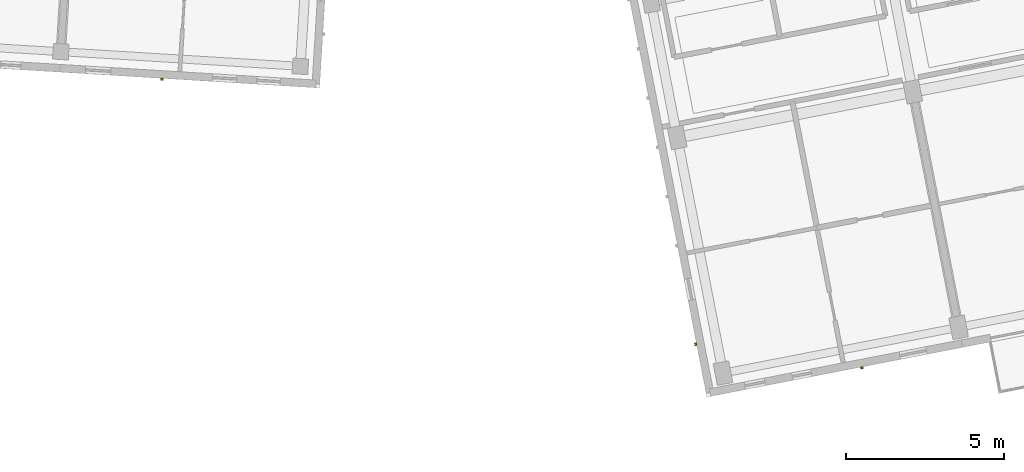
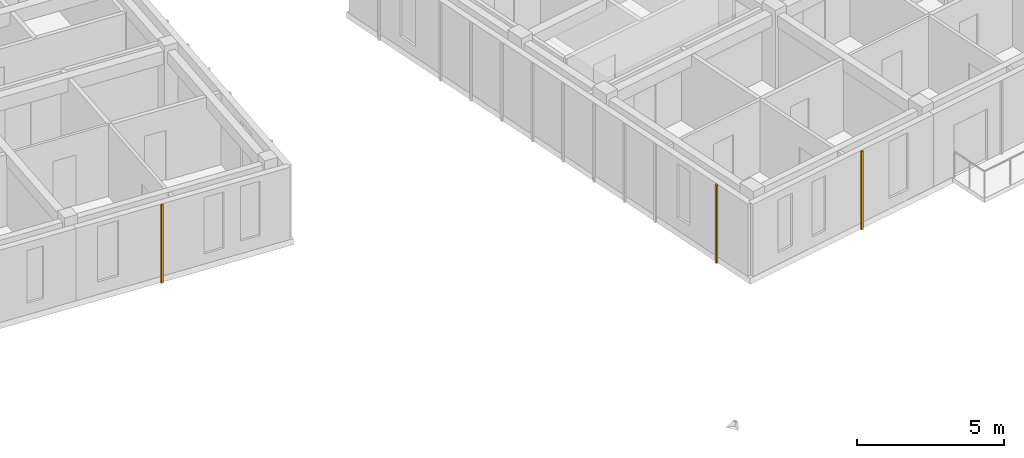
# One storey, part 47 of 74: 3 coverings.
"""IFC4 building model written with IfcOpenShell, lengths in metres."""

from ifc_helpers import new_model, si_unit, direction, frame, origin, origin_2d, place, context, subcontext, project, spatial, rectangle, extrude, material, layer, layer_set, type_object, element, save


model = new_model("IFC4")

# Units and contexts
model_context = context("Model", 3, precision=1e-05, world=origin(), true_north=direction((0.0, 1.0)))
body_context = subcontext(model_context, "Body", "Model", "MODEL_VIEW")
ifc_project = project(units=[si_unit("LENGTHUNIT", "METRE"), si_unit("AREAUNIT", "SQUARE_METRE"), si_unit("VOLUMEUNIT", "CUBIC_METRE"), si_unit("PLANEANGLEUNIT", "RADIAN"), si_unit("MASSUNIT", "GRAM", prefix="KILO")], contexts=[model_context])

# Site, building, storey
site_placement = place(None, origin())
site = spatial("IfcSite", under=ifc_project, at=site_placement, CompositionType="ELEMENT")
building_placement = place(site_placement, origin())
building = spatial("IfcBuilding", under=site, at=building_placement, Name="Kestramere Prow Commons", CompositionType="ELEMENT")
storey_placement = place(building_placement, frame((0.0, 0.0, 11.64990234375)))
storey = spatial("IfcBuildingStorey", under=building, at=storey_placement, Name="L03", CompositionType="ELEMENT", Elevation=11.64990234375)

# Coverings
ifc_material = material(Name="Weathered Zinc-Titanium Standing-Seam Cladding")
ifc_layer = layer(ifc_material, 0.074951171875)
ifc_layer_set = layer_set([ifc_layer], Name="Weathered Zinc-Titanium Standing-Seam Cladding")
covering_type = type_object("IfcCoveringType", Name="COV-CLAD-SEAM", PredefinedType="CLADDING", material=ifc_layer_set)
for number, where, z_axis, x_axis, name in (
    (1, (100.631591796875, 43.305419921875, -0.25), (0.0, 0.0, 1.0), (-0.998134798422, 0.061048539535, 0.0), "EW-C-L03-S-5 Standing-Seam Rib 3"),
    (2, (122.79931640625, 34.1650390625, -0.25), (0.0, 0.0, 1.0), (-0.981627183448, -0.190808995377, 0.0), "EW-D-L03-S-0 Standing-Seam Rib 2"),
    (3, (117.531982421875, 34.91455078125, -0.25), (0.0, 0.0, 1.0), (-0.190808995377, 0.981627183448, 0.0), "EW-D-L03-EAV Standing-Seam Rib 1"),
):
    element("IfcCovering", number, at=place(storey_placement, frame(where, z_axis=z_axis, x_axis=x_axis)), inside=storey, type_object=covering_type, Name=name, PredefinedType="CLADDING", context=body_context, shape_type="SweptSolid", body=[
        extrude(rectangle(XDim=0.0849609375, YDim=0.06494140625, at=origin_2d()), origin(), (0.0, 0.0, 1.0), 3.25),
    ])

save(model, "model.ifc")
